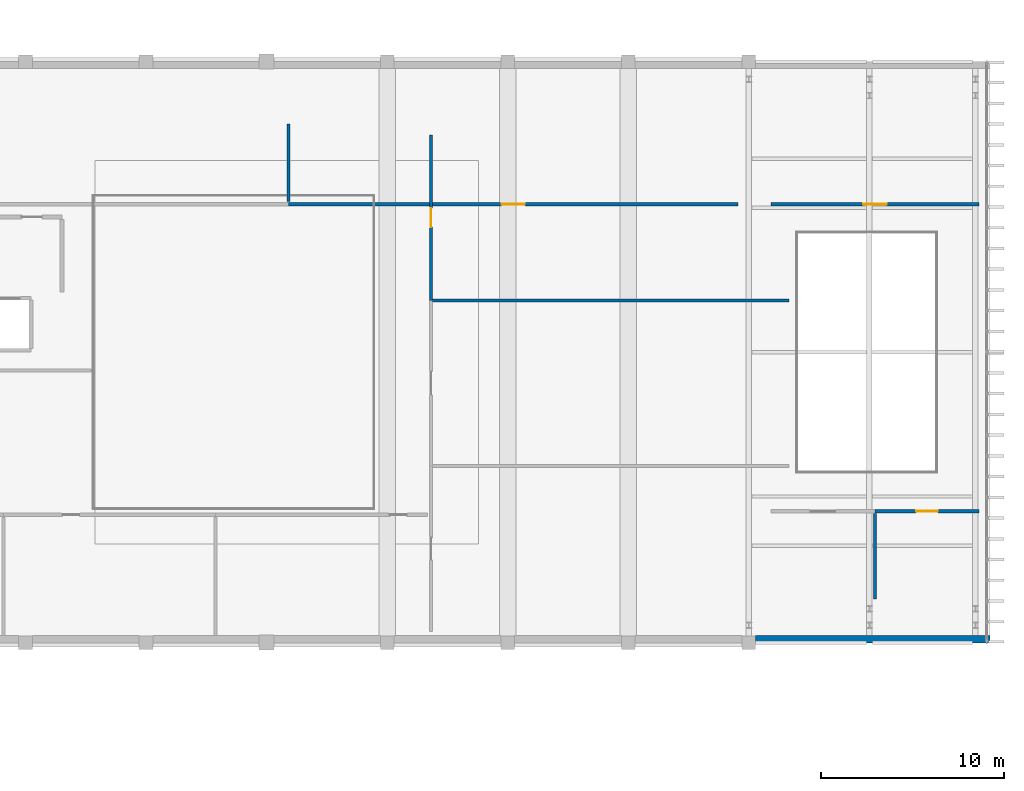
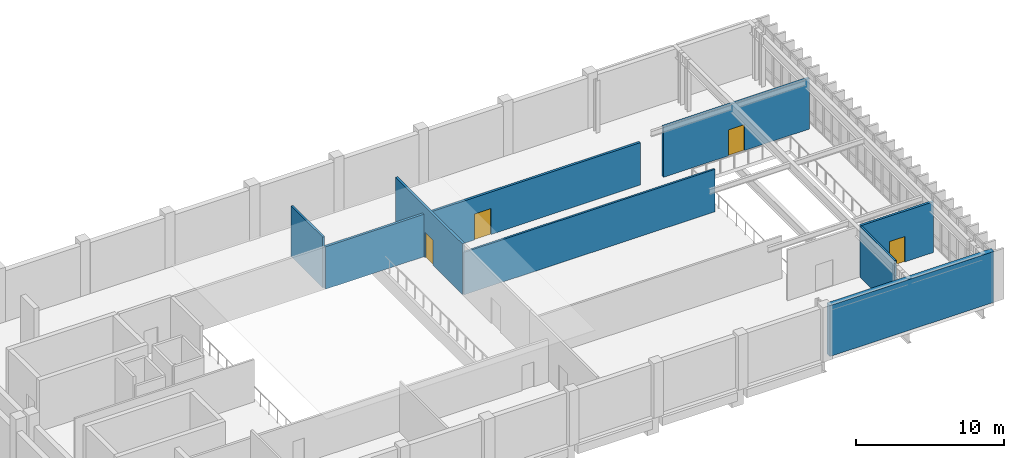
# One storey, part 16 of 23: 8 walls, 4 doors, 4 openings.
"""IFC4 building model written with IfcOpenShell, lengths in metres."""

from ifc_helpers import new_model, si_unit, direction, frame, frame_2d, origin, place, context, subcontext, project, spatial, rectangle, extrude, material, layer, layer_set, type_object, element, fill, save


model = new_model("IFC4")

# Units and contexts
model_context = context("Model", 3, precision=1e-05, world=origin(), true_north=direction((0.0, 1.0)))
body_context = subcontext(model_context, "Body", "Model", "MODEL_VIEW")
ifc_project = project(units=[si_unit("LENGTHUNIT", "METRE"), si_unit("AREAUNIT", "SQUARE_METRE"), si_unit("VOLUMEUNIT", "CUBIC_METRE"), si_unit("PLANEANGLEUNIT", "RADIAN"), si_unit("MASSUNIT", "GRAM", prefix="KILO")], contexts=[model_context])

# Site, building, storey
site_placement = place(None, origin())
site = spatial("IfcSite", under=ifc_project, at=site_placement, CompositionType="ELEMENT")
building_placement = place(site_placement, origin())
building = spatial("IfcBuilding", under=site, at=building_placement, Name="Kelarvand Opera House", CompositionType="ELEMENT")
storey_placement = place(building_placement, frame((0.0, 0.0, 19.5)))
storey = spatial("IfcBuildingStorey", under=building, at=storey_placement, Name="L04", CompositionType="ELEMENT", Elevation=19.5)

# Walls
ifc_material_1 = material(Name="Concrete C35/45", Category="concrete")
ifc_layer_1 = layer(ifc_material_1, 0.39990234375, Name="Concrete C35/45", Category="concrete")
ifc_layer_set_1 = layer_set([ifc_layer_1], Name="Concrete C35/45")
wall_type_1 = type_object("IfcWallType", Name="Acoustic Brick-Travertine Double Wall 400", PredefinedType="SOLIDWALL", material=ifc_layer_set_1)
wall_1_placement = place(storey_placement, frame((155.0, 46.780029296875, 0.0), z_axis=(0.0, 0.0, 1.0), x_axis=(-1.0, 0.0, 0.0)))
element("IfcWall", 1, at=wall_1_placement, inside=storey, type_object=wall_type_1, Name="V1 L04 Exterior Wall EW-400 (162)", PredefinedType="SOLIDWALL", context=body_context, shape_type="SweptSolid", body=[
    extrude(rectangle(XDim=12.824951171875, YDim=0.39990234375, at=frame_2d((6.41259765625, 0.0))), origin(), (0.0, 0.0, 1.0), 4.199951171875),
])
ifc_material_2 = material(Name="Acoustic double-stud gypsum partition")
ifc_layer_2 = layer(ifc_material_2, 0.14990234375, Name="Acoustic double-stud gypsum partition")
ifc_layer_set_2 = layer_set([ifc_layer_2], Name="Acoustic double-stud gypsum partition")
wall_type_2 = type_object("IfcWallType", Name="Acoustic Room Partition Wall 150", PredefinedType="PARTITIONING", material=ifc_layer_set_2)
wall_2_placement = place(storey_placement, frame((124.39990234375, 65.3330078125, 0.0), z_axis=(0.0, 0.0, 1.0), x_axis=(1.0, 0.0, 0.0)))
element("IfcWall", 2, at=wall_2_placement, inside=storey, type_object=wall_type_2, Name="V1 L04 Partition Wall IW-150 (634)", PredefinedType="PARTITIONING", context=body_context, shape_type="SweptSolid", body=[
    extrude(rectangle(XDim=19.60009765625, YDim=0.14990234375, at=frame_2d((9.800048828125, 0.0))), origin(), (0.0, 0.0, 1.0), 3.5029296875),
])
wall_3_placement = place(storey_placement, frame((148.699951171875, 49.0, 0.0), z_axis=(0.0, 0.0, 1.0), x_axis=(0.0, 1.0, 0.0)))
element("IfcWall", 3, at=wall_3_placement, inside=storey, type_object=wall_type_2, Name="V1 L04 Partition Wall IW-150 (643)", PredefinedType="PARTITIONING", context=body_context, shape_type="SweptSolid", body=[
    extrude(rectangle(XDim=4.659912109375, YDim=0.14990234375, at=frame_2d((2.330078125, 0.0))), origin(), (0.0, 0.0, 1.0), 4.19189453125),
])
wall_4_placement = place(storey_placement, frame((116.60009765625, 70.739990234375, 0.0), z_axis=(0.0, 0.0, 1.0), x_axis=(0.0, 1.0, 0.0)))
element("IfcWall", 4, at=wall_4_placement, inside=storey, type_object=wall_type_2, Name="V1 L04 Partition Wall IW-150 (646)", PredefinedType="PARTITIONING", context=body_context, shape_type="SweptSolid", body=[
    extrude(rectangle(XDim=4.260009765625, YDim=0.14990234375, at=frame_2d((2.1298828125, 0.0))), origin(), (0.0, 0.0, 1.0), 4.19189453125),
])

# Wall, opening, door
ifc_layer_3 = layer(ifc_material_1, 0.179931640625, Name="Concrete C35/45", Category="concrete")
ifc_layer_set_3 = layer_set([ifc_layer_3], Name="Concrete C35/45")
wall_type_3 = type_object("IfcWallType", Name="Corridor Fire-Rated Partition Wall 180 EI90", PredefinedType="PARTITIONING", material=ifc_layer_set_3)
wall_5_placement = place(storey_placement, frame((124.39990234375, 65.3330078125, 0.0), z_axis=(0.0, 0.0, 1.0), x_axis=(0.0, 1.0, 0.0)))
wall_5 = element("IfcWall", 5, at=wall_5_placement, inside=storey, type_object=wall_type_3, Name="V1 L04 Partition Wall IW-90 (635)", PredefinedType="PARTITIONING", context=body_context, shape_type="SweptSolid", body=[
    extrude(rectangle(XDim=9.06689453125, YDim=0.179931640625, at=frame_2d((4.533447265625, 0.0))), origin(), (0.0, 0.0, 1.0), 4.19189453125),
])
opening_1_placement = place(wall_5_placement, frame((4.009033203125, 0.0, 0.0)))
opening_1 = element("IfcOpeningElement", 6, at=opening_1_placement, cuts=wall_5, Name="Opening D-02", PredefinedType="OPENING", context=body_context, shape_type="SweptSolid", body=[
    extrude(rectangle(XDim=1.050048828125, YDim=2.10009765625, at=frame_2d((0.52490234375, 1.050048828125))), frame((0.0, 0.10009765625, 0.0), z_axis=(0.0, -1.0, 0.0), x_axis=(1.0, 0.0, 0.0)), (0.0, 0.0, 1.0), 0.199951171875),
])
ifc_material_3 = material(Name="Acoustic walnut-veneered hardwood", Category="wood")
door_type_1 = type_object("IfcDoorType", Name="Acoustic Studio Single Door 1050x2100", OperationType="NOTDEFINED", PredefinedType="DOOR", material=ifc_material_3)
door_1_placement = place(opening_1_placement, origin())
door_1 = element("IfcDoor", 7, at=door_1_placement, inside=storey, type_object=door_type_1, Name="V1 L04 Door D-02 (283)", OperationType="SINGLE_SWING_LEFT", OverallHeight=2.10009765625, OverallWidth=1.050048828125, PredefinedType="DOOR", context=body_context, shape_type="SweptSolid", body=[
    extrude(rectangle(XDim=1.050048828125, YDim=2.10009765625, at=frame_2d((0.52490234375, 1.050048828125))), frame((0.0, 0.02490234375, 0.0), z_axis=(0.0, -1.0, 0.0), x_axis=(1.0, 0.0, 0.0)), (0.0, 0.0, 1.0), 0.050048828125),
])
fill(opening_1, door_1)

wall_6_placement = place(storey_placement, frame((148.699951171875, 53.800048828125, 0.0), z_axis=(0.0, 0.0, 1.0), x_axis=(1.0, 0.0, 0.0)))
wall_6 = element("IfcWall", 8, at=wall_6_placement, inside=storey, type_object=wall_type_3, Name="V1 L04 Partition Wall IW-90 (644)", PredefinedType="PARTITIONING", context=body_context, shape_type="SweptSolid", body=[
    extrude(rectangle(XDim=5.699951171875, YDim=0.179931640625, at=frame_2d((2.85009765625, 0.0))), origin(), (0.0, 0.0, 1.0), 4.19189453125),
])
opening_2_placement = place(wall_6_placement, frame((2.25, 0.0, 0.0)))
opening_2 = element("IfcOpeningElement", 9, at=opening_2_placement, cuts=wall_6, Name="Opening D-06", PredefinedType="OPENING", context=body_context, shape_type="SweptSolid", body=[
    extrude(rectangle(XDim=1.199951171875, YDim=2.10009765625, at=frame_2d((0.60009765625, 1.050048828125))), frame((0.0, 0.10009765625, 0.0), z_axis=(0.0, -1.0, 0.0), x_axis=(1.0, 0.0, 0.0)), (0.0, 0.0, 1.0), 0.199951171875),
])
door_type_2 = type_object("IfcDoorType", Name="Accessible Suite Timber Door 1200x2100", OperationType="NOTDEFINED", PredefinedType="DOOR", material=ifc_material_3)
door_2_placement = place(opening_2_placement, origin())
door_2 = element("IfcDoor", 10, at=door_2_placement, inside=storey, type_object=door_type_2, Name="V1 L04 Door D-06 (288)", OperationType="SINGLE_SWING_RIGHT", OverallHeight=2.10009765625, OverallWidth=1.199951171875, PredefinedType="DOOR", context=body_context, shape_type="SweptSolid", body=[
    extrude(rectangle(XDim=1.199951171875, YDim=2.10009765625, at=frame_2d((0.60009765625, 1.050048828125))), frame((0.0, 0.02490234375, 0.0), z_axis=(0.0, -1.0, 0.0), x_axis=(1.0, 0.0, 0.0)), (0.0, 0.0, 1.0), 0.050048828125),
])
fill(opening_2, door_2)

wall_7_placement = place(storey_placement, frame((116.60009765625, 70.60009765625, 0.0), z_axis=(0.0, 0.0, 1.0), x_axis=(1.0, 0.0, 0.0)))
wall_7 = element("IfcWall", 11, at=wall_7_placement, inside=storey, type_object=wall_type_3, Name="V1 L04 Partition Wall IW-90 (647)", PredefinedType="PARTITIONING", context=body_context, shape_type="SweptSolid", body=[
    extrude(rectangle(XDim=24.599853515625, YDim=0.179931640625, at=frame_2d((12.2998046875, 0.0))), origin(), (0.0, 0.0, 1.0), 3.5029296875),
])
opening_3_placement = place(wall_7_placement, frame((11.659912109375, 0.0, 0.0)))
opening_3 = element("IfcOpeningElement", 12, at=opening_3_placement, cuts=wall_7, Name="Opening D-11", PredefinedType="OPENING", context=body_context, shape_type="SweptSolid", body=[
    extrude(rectangle(XDim=1.280029296875, YDim=2.139892578125, at=frame_2d((0.64013671875, 1.06982421875))), frame((0.0, 0.10009765625, 0.0), z_axis=(0.0, -1.0, 0.0), x_axis=(1.0, 0.0, 0.0)), (0.0, 0.0, 1.0), 0.199951171875),
])
door_type_3 = type_object("IfcDoorType", Name="Instrument Store Leaf-and-Half Door 1280x2140", OperationType="NOTDEFINED", PredefinedType="DOOR", material=ifc_material_3)
door_3_placement = place(opening_3_placement, origin())
door_3 = element("IfcDoor", 13, at=door_3_placement, inside=storey, type_object=door_type_3, Name="V1 L04 Door D-11 (289)", OperationType="SINGLE_SWING_LEFT", OverallHeight=2.139892578125, OverallWidth=1.280029296875, PredefinedType="DOOR", context=body_context, shape_type="SweptSolid", body=[
    extrude(rectangle(XDim=1.280029296875, YDim=2.139892578125, at=frame_2d((0.64013671875, 1.06982421875))), frame((0.0, 0.02490234375, 0.0), z_axis=(0.0, -1.0, 0.0), x_axis=(1.0, 0.0, 0.0)), (0.0, 0.0, 1.0), 0.050048828125),
])
fill(opening_3, door_3)

wall_8_placement = place(storey_placement, frame((143.0, 70.60009765625, 0.0), z_axis=(0.0, 0.0, 1.0), x_axis=(1.0, 0.0, 0.0)))
wall_8 = element("IfcWall", 14, at=wall_8_placement, inside=storey, type_object=wall_type_3, Name="V1 L04 Partition Wall IW-90 (648)", PredefinedType="PARTITIONING", context=body_context, shape_type="SweptSolid", body=[
    extrude(rectangle(XDim=11.39990234375, YDim=0.179931640625, at=frame_2d((5.699951171875, 0.0))), origin(), (0.0, 0.0, 1.0), 4.19189453125),
])
opening_4_placement = place(wall_8_placement, frame((5.06005859375, 0.0, 0.0)))
opening_4 = element("IfcOpeningElement", 15, at=opening_4_placement, cuts=wall_8, Name="Opening D-11", PredefinedType="OPENING", context=body_context, shape_type="SweptSolid", body=[
    extrude(rectangle(XDim=1.280029296875, YDim=2.139892578125, at=frame_2d((0.64013671875, 1.06982421875))), frame((0.0, 0.10009765625, 0.0), z_axis=(0.0, -1.0, 0.0), x_axis=(1.0, 0.0, 0.0)), (0.0, 0.0, 1.0), 0.199951171875),
])
door_4_placement = place(opening_4_placement, origin())
door_4 = element("IfcDoor", 16, at=door_4_placement, inside=storey, type_object=door_type_3, Name="V1 L04 Door D-11 (290)", OperationType="SINGLE_SWING_RIGHT", OverallHeight=2.139892578125, OverallWidth=1.280029296875, PredefinedType="DOOR", context=body_context, shape_type="SweptSolid", body=[
    extrude(rectangle(XDim=1.280029296875, YDim=2.139892578125, at=frame_2d((0.64013671875, 1.06982421875))), frame((0.0, 0.02490234375, 0.0), z_axis=(0.0, -1.0, 0.0), x_axis=(1.0, 0.0, 0.0)), (0.0, 0.0, 1.0), 0.050048828125),
])
fill(opening_4, door_4)

save(model, "model.ifc")
